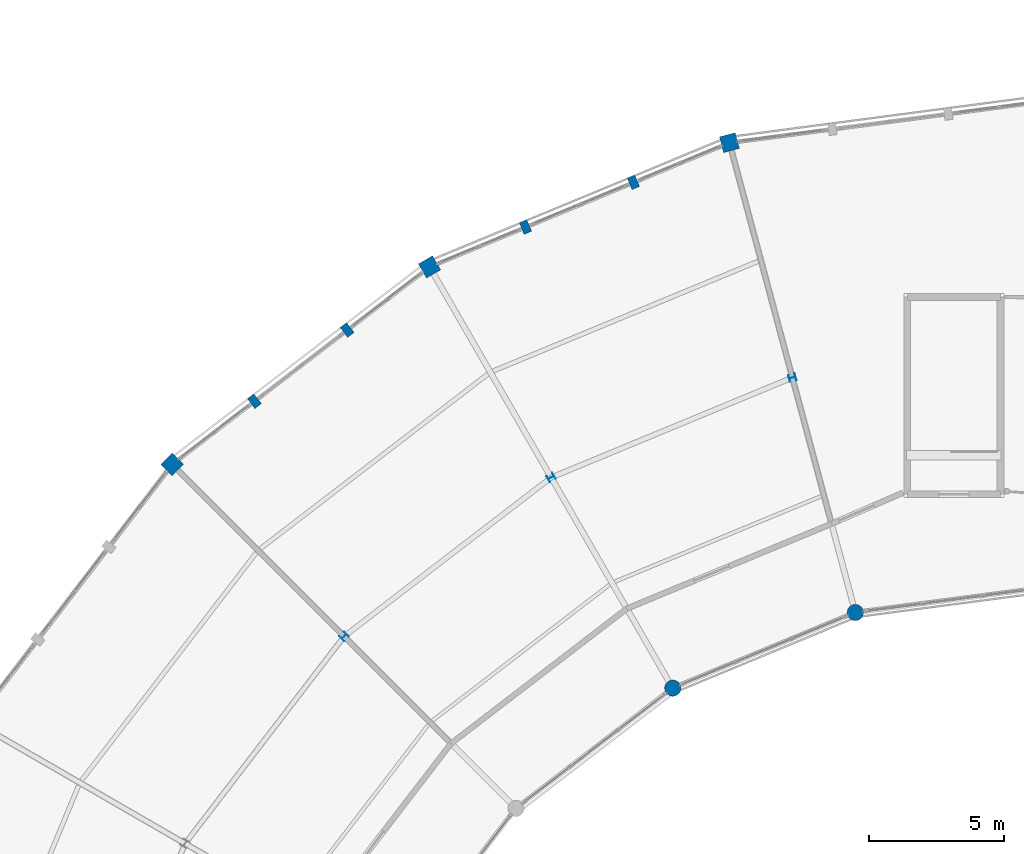
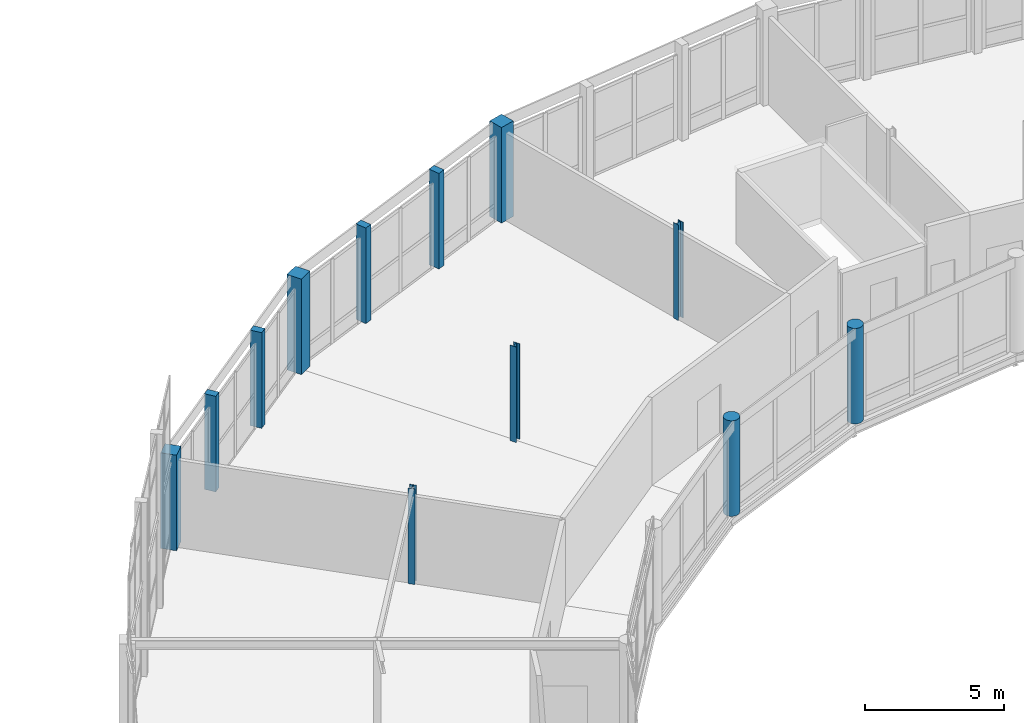
# One storey, part 10 of 200: 12 columns.
"""IFC4 building model written with IfcOpenShell, lengths in metres."""

from ifc_helpers import new_model, si_unit, direction, frame, origin, origin_2d, place, context, subcontext, project, spatial, rectangle, circle, i_section, extrude, material, material_profile, profile_set, type_object, element, save


model = new_model("IFC4")

# Units and contexts
model_context = context("Model", 3, precision=1e-05, world=origin(), true_north=direction((0.0, 1.0)))
body_context = subcontext(model_context, "Body", "Model", "MODEL_VIEW")
ifc_project = project(units=[si_unit("LENGTHUNIT", "METRE"), si_unit("AREAUNIT", "SQUARE_METRE"), si_unit("VOLUMEUNIT", "CUBIC_METRE"), si_unit("PLANEANGLEUNIT", "RADIAN"), si_unit("MASSUNIT", "GRAM", prefix="KILO")], contexts=[model_context])

# Site, building, storey
site_placement = place(None, origin())
site = spatial("IfcSite", under=ifc_project, at=site_placement, CompositionType="ELEMENT")
building_placement = place(site_placement, origin())
building = spatial("IfcBuilding", under=site, at=building_placement, Name="Vondelvale Polytechnic", CompositionType="ELEMENT")
storey_placement = place(building_placement, frame((0.0, 0.0, 13.800048828125)))
storey = spatial("IfcBuildingStorey", under=building, at=storey_placement, Name="L03", CompositionType="ELEMENT", Elevation=13.800048828125)

# Columns
ifc_material_1 = material(Name="Glulam GL18 structural Tasmanian oak (fb = 42 MPa)", Category="wood")
ifc_material_profile_1 = material_profile(ifc_material_1, rectangle(XDim=0.300048828125, YDim=0.449951171875, at=origin_2d()), Name="GL-POST-300x450")
ifc_profile_set_1 = profile_set([ifc_material_profile_1], Name="Glulam GL18 structural Tasmanian oak (fb = 42 MPa)")
column_type_1 = type_object("IfcColumnType", Name="COL-GLULAM-300x450", PredefinedType="PILASTER", material=ifc_profile_set_1)
for number, where, z_axis, x_axis, name in (
    (1, (86.544189453125, 114.962158203125, 0.0), (0.0, 0.0, 1.0), (0.923879532511, 0.382683432365, 0.0), "L03 ring outer glulam timber post C07-P1"),
    (2, (82.55029296875, 113.3076171875, 0.0), (0.0, 0.0, 1.0), (0.923879532511, 0.382683432365, 0.0), "L03 ring outer glulam timber post C07-P2"),
    (3, (75.951416015625, 109.497802734375, 0.0), (0.0, 0.0, 1.0), (0.793353340291, 0.608761429009, 0.0), "L03 ring outer glulam timber post C08-P1"),
    (4, (72.521728515625, 106.8662109375, 0.0), (0.0, 0.0, 1.0), (0.793353340291, 0.608761429009, 0.0), "L03 ring outer glulam timber post C08-P2"),
):
    element("IfcColumn", number, at=place(storey_placement, frame(where, z_axis=z_axis, x_axis=x_axis)), inside=storey, type_object=column_type_1, Name=name, PredefinedType="PILASTER", context=body_context, shape_type="SweptSolid", body=[
        extrude(rectangle(XDim=0.300048828125, YDim=0.449951171875, at=origin_2d()), origin(), (0.0, 0.0, 1.0), 4.199951171875),
    ])
ifc_material_2 = material(Name="Concrete N50 (f'c = 50 MPa)", Category="concrete")
ifc_material_profile_2 = material_profile(ifc_material_2, rectangle(XDim=0.60009765625, YDim=0.60009765625, at=origin_2d()), Name="RC-COL-600x600")
ifc_profile_set_2 = profile_set([ifc_material_profile_2], Name="Concrete N50 (f'c = 50 MPa)")
column_type_2 = type_object("IfcColumnType", Name="COL-RC600", PredefinedType="COLUMN", material=ifc_profile_set_2)
for number, where, z_axis, x_axis, name in (
    (5, (90.09423828125, 116.4326171875, 0.0), (0.0, 0.0, 1.0), (-0.258819045103, 0.965925826289, 0.0), "L03 courtyard ring column S07-RO"),
    (6, (79.0, 111.837158203125, 0.0), (0.0, 0.0, 1.0), (-0.5, 0.866025403784, 0.0), "L03 courtyard ring column S08-RO"),
    (7, (69.47314453125, 104.52685546875, 0.0), (0.0, 0.0, 1.0), (-0.707106781187, 0.707106781187, 0.0), "L03 courtyard ring column S09-RO"),
):
    element("IfcColumn", number, at=place(storey_placement, frame(where, z_axis=z_axis, x_axis=x_axis)), inside=storey, type_object=column_type_2, Name=name, PredefinedType="COLUMN", context=body_context, shape_type="SweptSolid", body=[
        extrude(rectangle(XDim=0.60009765625, YDim=0.60009765625, at=origin_2d()), origin(), (0.0, 0.0, 1.0), 4.199951171875),
    ])
ifc_material_profile_3 = material_profile(ifc_material_2, circle(Radius=0.300048828125, at=origin_2d()), Name="RC-COL-D600")
ifc_profile_set_3 = profile_set([ifc_material_profile_3], Name="Concrete N50 (f'c = 50 MPa)")
column_type_3 = type_object("IfcColumnType", Name="COL-RCD600", PredefinedType="COLUMN", material=ifc_profile_set_3)
for number, where, z_axis, x_axis, name in (
    (8, (94.753173828125, 99.0458984375, 0.0), (0.0, 0.0, 1.0), (-0.258819045103, 0.965925826289, 0.0), "L03 courtyard ring column S07-RI"),
    (9, (88.0, 96.248779296875, 0.0), (0.0, 0.0, 1.0), (-0.5, 0.866025403784, 0.0), "L03 courtyard ring column S08-RI"),
):
    element("IfcColumn", number, at=place(storey_placement, frame(where, z_axis=z_axis, x_axis=x_axis)), inside=storey, type_object=column_type_3, Name=name, PredefinedType="COLUMN", context=body_context, shape_type="SweptSolid", body=[
        extrude(circle(Radius=0.300048828125, at=origin_2d()), origin(), (0.0, 0.0, 1.0), 4.199951171875),
    ])
ifc_material_3 = material(Name="Steel 300PLUS (fy = 300 MPa)", Category="steel")
ifc_material_profile_4 = material_profile(ifc_material_3, i_section(OverallWidth=0.25390625, OverallDepth=0.25390625, WebThickness=0.008544921875, FlangeThickness=0.01416015625, FilletRadius=0.013916015625, at=origin_2d()), Name="250UC72.9")
ifc_profile_set_4 = profile_set([ifc_material_profile_4], Name="Steel 300PLUS (fy = 300 MPa)")
column_type_4 = type_object("IfcColumnType", Name="COL-UC250L", PredefinedType="COLUMN", material=ifc_profile_set_4)
for number, where, z_axis, x_axis, name in (
    (10, (92.423583984375, 107.7392578125, 0.0), (0.0, 0.0, 1.0), (-0.258819045103, 0.965925826289, 0.0), "L03 courtyard ring column S07-RM"),
    (11, (83.5, 104.04296875, 0.0), (0.0, 0.0, 1.0), (-0.5, 0.866025403784, 0.0), "L03 courtyard ring column S08-RM"),
    (12, (75.8369140625, 98.1630859375, 0.0), (0.0, 0.0, 1.0), (-0.707106781187, 0.707106781187, 0.0), "L03 courtyard ring column S09-RM"),
):
    element("IfcColumn", number, at=place(storey_placement, frame(where, z_axis=z_axis, x_axis=x_axis)), inside=storey, type_object=column_type_4, Name=name, PredefinedType="COLUMN", context=body_context, shape_type="SweptSolid", body=[
        extrude(i_section(OverallWidth=0.25390625, OverallDepth=0.25390625, WebThickness=0.008544921875, FlangeThickness=0.01416015625, FilletRadius=0.013916015625, at=origin_2d()), origin(), (0.0, 0.0, 1.0), 4.199951171875),
    ])

save(model, "model.ifc")
